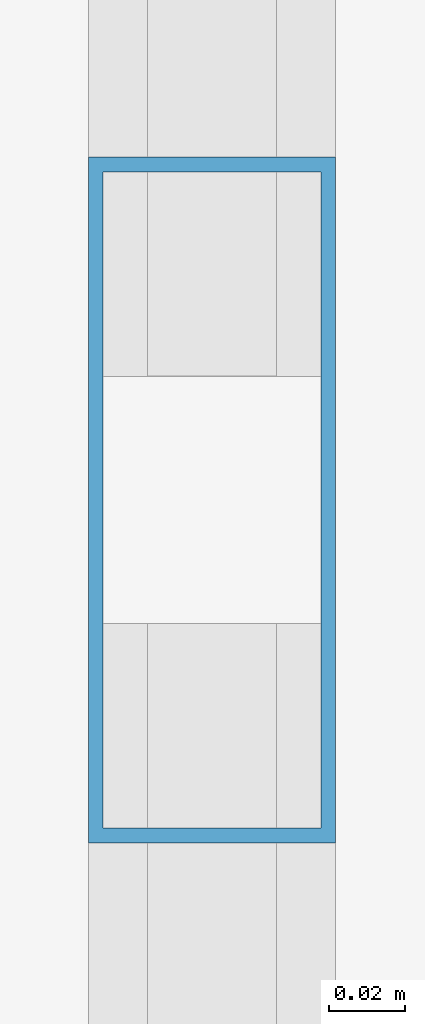
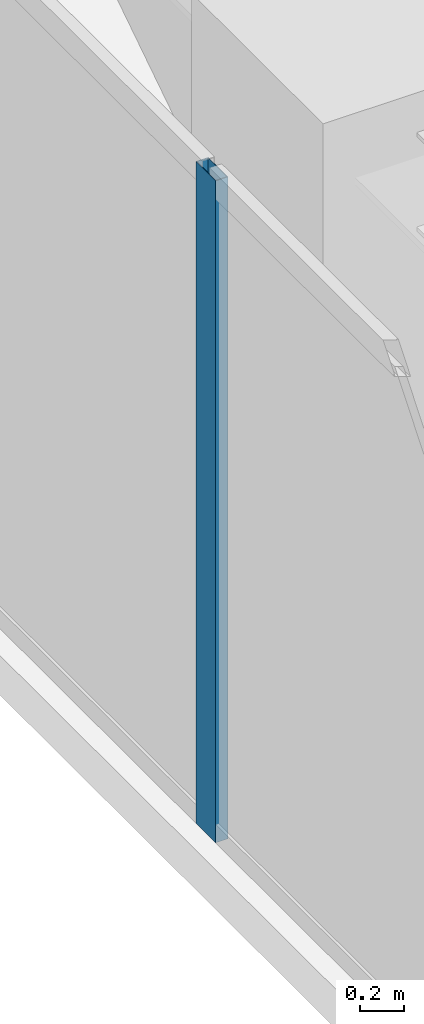
# One storey, part 13 of 30: 1 member, 1 element without a shape of its own.
"""IFC4 building model written with IfcOpenShell, lengths in metres."""

from ifc_helpers import new_model, si_unit, direction, frame, origin, origin_2d, place, context, subcontext, project, spatial, hollow_rectangle, extrude, material, layer, layer_set, material_profile, profile_set, type_object, element, aggregate, save


model = new_model("IFC4")

# Units and contexts
model_context = context("Model", 3, precision=1e-05, world=origin(), true_north=direction((0.0, 1.0)))
body_context = subcontext(model_context, "Body", "Model", "MODEL_VIEW")
ifc_project = project(units=[si_unit("LENGTHUNIT", "METRE"), si_unit("AREAUNIT", "SQUARE_METRE"), si_unit("VOLUMEUNIT", "CUBIC_METRE"), si_unit("PLANEANGLEUNIT", "RADIAN"), si_unit("MASSUNIT", "GRAM", prefix="KILO")], contexts=[model_context])

# Site, building, storey
site_placement = place(None, origin())
site = spatial("IfcSite", under=ifc_project, at=site_placement, CompositionType="ELEMENT")
building_placement = place(site_placement, origin())
building = spatial("IfcBuilding", under=site, at=building_placement, Name="Kiyonajd Concourse Tower", CompositionType="ELEMENT")
storey_placement = place(building_placement, frame((0.0, 0.0, 201.89990234375)))
storey = spatial("IfcBuildingStorey", under=building, at=storey_placement, Name="L51", CompositionType="ELEMENT", Elevation=201.89990234375)

# Curtain wall, member
ifc_material = material(Name="Thermally Broken Anodised Aluminium", Category="aluminium")
ifc_layer = layer(ifc_material, 0.179931640625)
ifc_layer_set = layer_set([ifc_layer], Name="Thermally Broken Anodised Aluminium")
curtain_wall_type = type_object("IfcCurtainWallType", Name="CW-SYS-03", PredefinedType="NOTDEFINED", material=ifc_layer_set)
curtain_wall_placement = place(storey_placement, origin())
curtain_wall = element("IfcCurtainWall", 1, at=curtain_wall_placement, inside=storey, type_object=curtain_wall_type, Name="L51 Unitised Curtain Wall CW3", PredefinedType="NOTDEFINED")
ifc_material_profile = material_profile(ifc_material, hollow_rectangle(XDim=0.06494140625, YDim=0.179931640625, WallThickness=0.00390625, at=origin_2d()), Name="MULL-65x180")
ifc_profile_set = profile_set([ifc_material_profile], Name="Thermally Broken Anodised Aluminium")
member_type = type_object("IfcMemberType", Name="MB-CW-MULL1", PredefinedType="MULLION", material=ifc_profile_set)
member_placement = place(storey_placement, frame((18.139892578125, 53.0146484375, 0.0), z_axis=(0.0, 0.0, 1.0), x_axis=(-1.0, 0.0, 0.0)))
member = element("IfcMember", 2, at=member_placement, type_object=member_type, Name="CW3 mullion 6", PredefinedType="MULLION", context=body_context, shape_type="SweptSolid", body=[
    extrude(hollow_rectangle(XDim=0.06494140625, YDim=0.179931640625, WallThickness=0.00390625, at=origin_2d()), origin(), (0.0, 0.0, 1.0), 3.68017578125),
])
aggregate(curtain_wall, [member])

save(model, "model.ifc")
